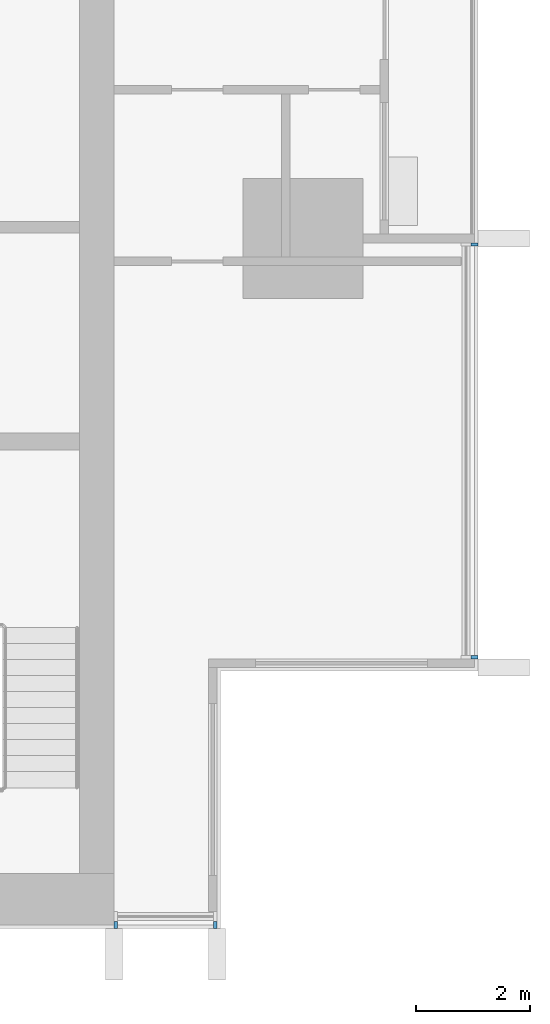
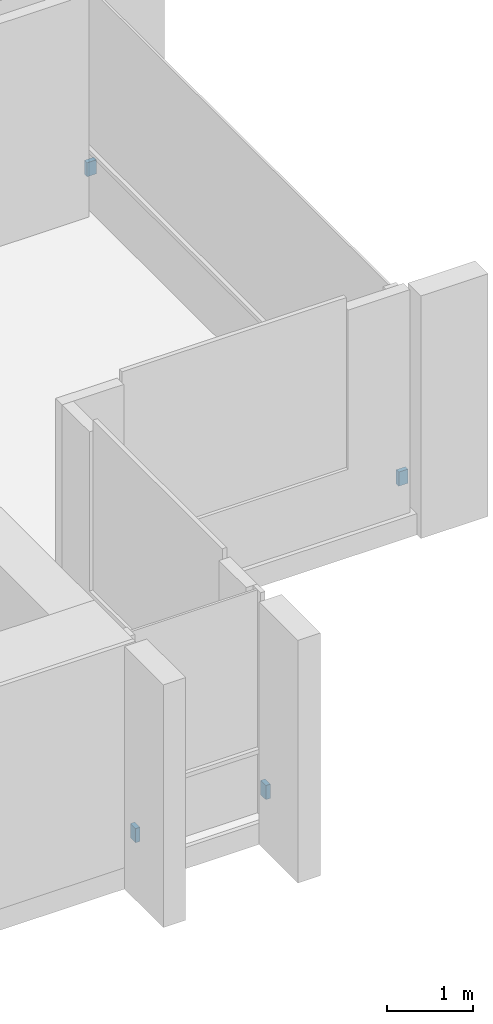
# One storey, part 13 of 16: 4 discrete accessories.
"""IFC4 building model written with IfcOpenShell, lengths in metres."""

from ifc_helpers import new_model, si_unit, direction, frame, origin, origin_2d, place, context, subcontext, project, spatial, rectangle, extrude, material, type_object, element, save


model = new_model("IFC4")

# Units and contexts
model_context = context("Model", 3, precision=1e-05, world=origin(), true_north=direction((0.0, 1.0)))
body_context = subcontext(model_context, "Body", "Model", "MODEL_VIEW")
ifc_project = project(units=[si_unit("LENGTHUNIT", "METRE"), si_unit("AREAUNIT", "SQUARE_METRE"), si_unit("VOLUMEUNIT", "CUBIC_METRE"), si_unit("PLANEANGLEUNIT", "RADIAN"), si_unit("MASSUNIT", "GRAM", prefix="KILO")], contexts=[model_context])

# Site, building, storey
site_placement = place(None, origin())
site = spatial("IfcSite", under=ifc_project, at=site_placement, CompositionType="ELEMENT")
building_placement = place(site_placement, origin())
building = spatial("IfcBuilding", under=site, at=building_placement, Name="Finial Court Residences", CompositionType="ELEMENT")
storey_placement = place(building_placement, frame((0.0, 0.0, 244.699951171875)))
storey = spatial("IfcBuildingStorey", under=building, at=storey_placement, Name="L62", CompositionType="ELEMENT", Elevation=244.699951171875)

# Discrete accessories
ifc_material = material(Name="Stainless steel 316", Category="steel")
discrete_accessory_type = type_object("IfcDiscreteAccessoryType", Name="Fin bracket, stainless steel 60 x 122 x 200", PredefinedType="BRACKET", material=ifc_material)
for number, where, z_axis, x_axis, name in (
    (1, (19.498779296875, -20.820068359375, 0.30029296875), (0.0, 0.0, 1.0), (1.0, 0.0, 0.0), "E-L62-FIN-E7-BRK"),
    (2, (19.498779296875, -13.60498046875, 0.30029296875), (0.0, 0.0, 1.0), (1.0, 0.0, 0.0), "E-L62-FIN-E8-BRK"),
):
    element("IfcDiscreteAccessory", number, at=place(storey_placement, frame(where, z_axis=z_axis, x_axis=x_axis)), inside=storey, type_object=discrete_accessory_type, Name=name, PredefinedType="BRACKET", context=body_context, shape_type="SweptSolid", body=[
        extrude(rectangle(XDim=0.12255859375, YDim=0.06005859375, at=origin_2d()), origin(), (0.0, 0.0, 1.0), 0.199951171875),
    ])
for number, where, z_axis, x_axis, name in (
    (3, (13.22998046875, -25.498779296875, 0.30029296875), (0.0, 0.0, 1.0), (1.0, 0.0, 0.0), "E-L62-FIN-S19-BRK"),
    (4, (14.969970703125, -25.498779296875, 0.30029296875), (0.0, 0.0, 1.0), (1.0, 0.0, 0.0), "E-L62-FIN-S20-BRK"),
):
    element("IfcDiscreteAccessory", number, at=place(storey_placement, frame(where, z_axis=z_axis, x_axis=x_axis)), inside=storey, type_object=discrete_accessory_type, Name=name, PredefinedType="BRACKET", context=body_context, shape_type="SweptSolid", body=[
        extrude(rectangle(XDim=0.06005859375, YDim=0.12255859375, at=origin_2d()), origin(), (0.0, 0.0, 1.0), 0.199951171875),
    ])

save(model, "model.ifc")
